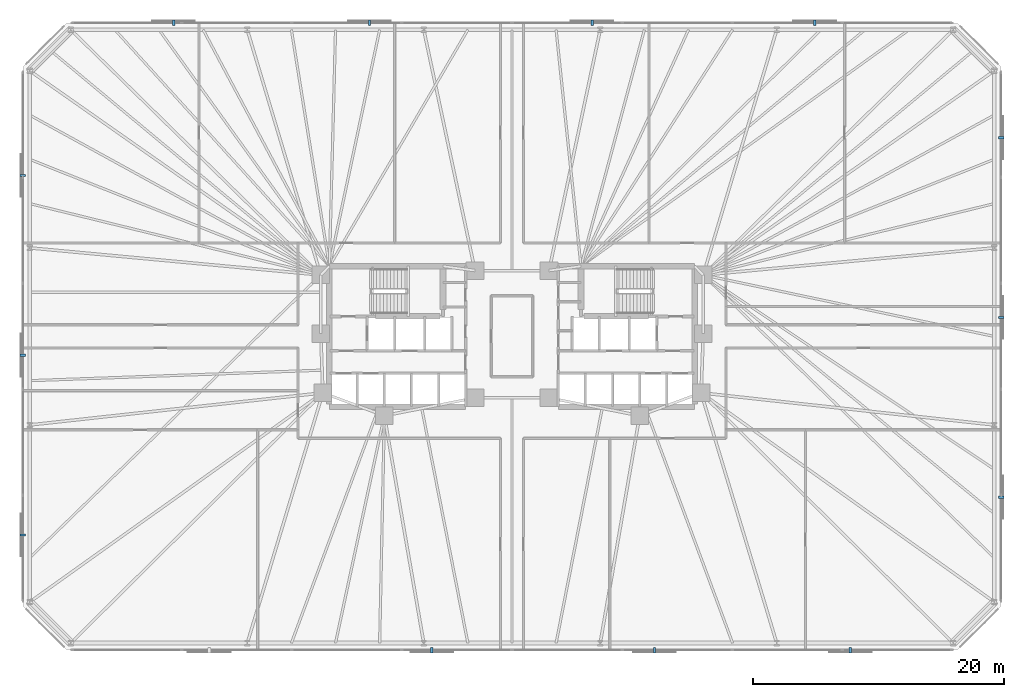
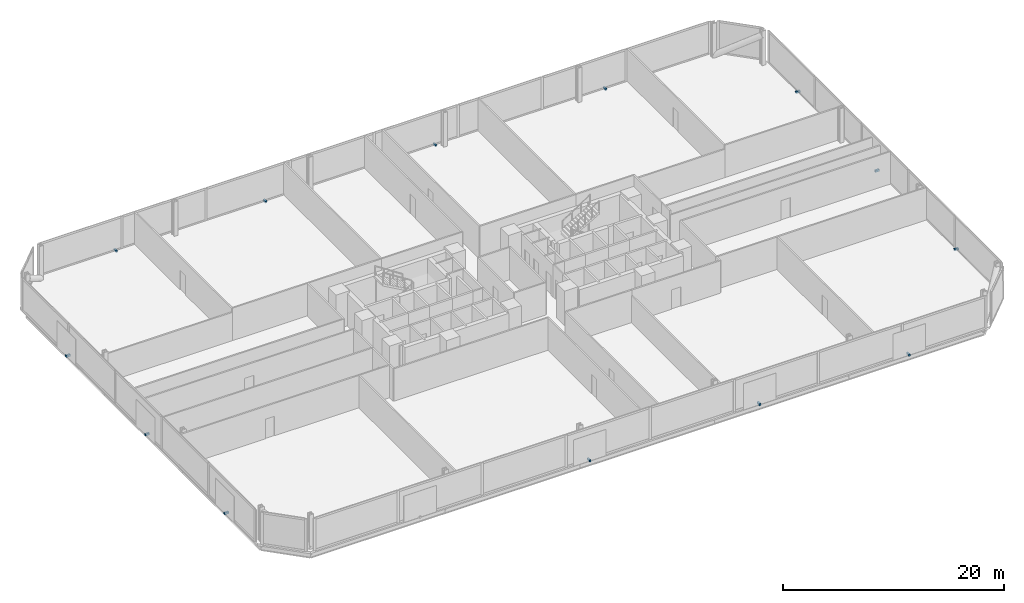
# One storey, part 16 of 17: 13 discrete accessories.
"""IFC4 building model written with IfcOpenShell, lengths in metres."""

import ifcopenshell
import ifcopenshell.guid

model = None  # the IFC model being written
_history = None  # IfcOwnerHistory: only IFC2X3 demands one
_inside = {}  # id of a spatial element -> (the spatial element, [elements in it])
_under = {}  # id of a project, library or spatial element -> (it, [spatial elements below it])
_declared = {}  # id of a project -> (the project, [libraries it declares])
_typed = {}  # id of a type object -> (the type object, [elements of that type])
_made_of = {}  # id of a material, layer set ... -> (it, [elements and type objects made of it])


def new_model(schema):
    """Start an empty IFC model of exactly this schema.

    Asked for "IFC4X3", IfcOpenShell would pick the latest addendum, in which some entities
    have other attributes; the version numbers below select the first issue.
    IFC2X3 requires an IfcOwnerHistory on every rooted entity: one is made here for all.
    """
    global model, _history
    if schema == "IFC4X3":
        model = ifcopenshell.file(schema_version=(4, 3, 0, 0))
    else:
        model = ifcopenshell.file(schema=schema)
    _inside.clear()
    _under.clear()
    _declared.clear()
    _typed.clear()
    _made_of.clear()
    _history = None
    if model.schema == "IFC2X3":
        org = make("IfcOrganization", Name="unknown")
        user = make(
            "IfcPersonAndOrganization",
            ThePerson=make("IfcPerson", FamilyName="unknown"),
            TheOrganization=org,
        )
        app = make(
            "IfcApplication",
            ApplicationDeveloper=org,
            Version="unknown",
            ApplicationFullName="unknown",
            ApplicationIdentifier="unknown",
        )
        _history = make(
            "IfcOwnerHistory",
            OwningUser=user,
            OwningApplication=app,
            ChangeAction="ADDED",
            CreationDate=0,
        )
    return model


def make(cls, **values):
    """One entity of the class cls with the attributes given. An attribute that is None is left unset."""
    return model.create_entity(
        cls, **{name: value for name, value in values.items() if value is not None}
    )


def rooted(cls, **values):
    """An entity with a GlobalId (a new one), such as an element, a storey or a relation."""
    return make(cls, GlobalId=ifcopenshell.guid.new(), OwnerHistory=_history, **values)


def si_unit(unit_type, name, prefix=None):
    """IfcSIUnit, for example si_unit("LENGTHUNIT", "METRE", prefix="MILLI")."""
    return make("IfcSIUnit", UnitType=unit_type, Prefix=prefix, Name=name)


def assignment(units):
    """IfcUnitAssignment: the units of a project."""
    return None if units is None else make("IfcUnitAssignment", Units=units)


def point(xyz):
    """IfcCartesianPoint."""
    return None if xyz is None else make("IfcCartesianPoint", Coordinates=xyz)


def direction(xyz):
    """IfcDirection."""
    return None if xyz is None else make("IfcDirection", DirectionRatios=xyz)


def frame(location, z_axis=None, x_axis=None):
    """IfcAxis2Placement3D, a coordinate frame: its origin and axes. An axis left out is left unset."""
    return make(
        "IfcAxis2Placement3D",
        Location=point(location),
        Axis=direction(z_axis),
        RefDirection=direction(x_axis),
    )


def frame_2d(location, x_axis=None):
    """IfcAxis2Placement2D, a coordinate frame in the plane: its origin and x axis."""
    return make(
        "IfcAxis2Placement2D", Location=point(location), RefDirection=direction(x_axis)
    )


def origin():
    """The frame at (0, 0, 0) with its axes left unset."""
    return frame((0.0, 0.0, 0.0))


def origin_2d():
    """The frame at (0, 0) in the plane with its x axis left unset."""
    return frame_2d((0.0, 0.0))


def place(relative_to, where):
    """IfcLocalPlacement: puts the frame where relative to a parent placement (None: the world)."""
    return make(
        "IfcLocalPlacement", PlacementRelTo=relative_to, RelativePlacement=where
    )


def context(
    kind, dimensions, precision=None, world=None, true_north=None, identifier=None
):
    """IfcGeometricRepresentationContext, for example the 3D "Model" context."""
    return make(
        "IfcGeometricRepresentationContext",
        ContextIdentifier=identifier,
        ContextType=kind,
        CoordinateSpaceDimension=dimensions,
        Precision=precision,
        WorldCoordinateSystem=world,
        TrueNorth=true_north,
    )


def subcontext(parent, identifier, kind, view, scale=None):
    """IfcGeometricRepresentationSubContext, for example "Body" below "Model"."""
    return make(
        "IfcGeometricRepresentationSubContext",
        ContextIdentifier=identifier,
        ContextType=kind,
        ParentContext=parent,
        TargetScale=scale,
        TargetView=view,
    )


def project(units=None, contexts=None):
    """IfcProject with its units and contexts."""
    return rooted(
        "IfcProject",
        Name="project",
        RepresentationContexts=contexts,
        UnitsInContext=assignment(units),
    )


def spatial(cls, under=None, at=None, **own):
    """A site, building, storey or space (cls), placed at a placement, below another one or the project."""
    s = rooted(cls, ObjectPlacement=at, **own)
    if under is not None:
        _under.setdefault(under.id(), (under, []))[1].append(s)
    return s


def profile(cls, at=None, kind="AREA", **sizes):
    """A parametric profile (cls). Its sizes go by their IFC names, for example OverallWidth=200.0."""
    return make(cls, ProfileType=kind, Position=at, **sizes)


def rectangle(**sizes):
    """IfcRectangleProfileDef."""
    return profile("IfcRectangleProfileDef", **sizes)


def extrude(swept, where, along, depth):
    """IfcExtrudedAreaSolid: the profile swept, set in the frame where, extruded along a direction by depth."""
    return make(
        "IfcExtrudedAreaSolid",
        SweptArea=swept,
        Position=where,
        ExtrudedDirection=direction(along),
        Depth=depth,
    )


def shape(context_of_items, identifier, shape_type, items):
    """IfcShapeRepresentation: the items that make up one representation, for example the "Body"."""
    return make(
        "IfcShapeRepresentation",
        ContextOfItems=context_of_items,
        RepresentationIdentifier=identifier,
        RepresentationType=shape_type,
        Items=items,
    )


def material(Name=None, Category=None):
    """IfcMaterial."""
    return make("IfcMaterial", Name=Name, Category=Category)


def made_of(thing, what):
    """Note that an element or type object is made of a material, layer set ...; save() writes the relation."""
    if what is not None:
        _made_of.setdefault(what.id(), (what, []))[1].append(thing)
    return thing


def type_object(cls, material=None, **own):
    """A type object (cls), such as IfcWallType, which elements share."""
    return made_of(rooted(cls, **own), material)


def element(
    cls,
    number,
    at=None,
    inside=None,
    cuts=None,
    type_object=None,
    material=None,
    context=None,
    identifier="Body",
    shape_type=None,
    held_by="IfcProductDefinitionShape",
    body=None,
    shapes=None,
    **own,
):
    """One element of the class cls, such as IfcWall. Its Tag is "e" and its number.

    at: its placement. inside: the storey or other place that contains it. cuts: it is an
    opening in that element (IfcRelVoidsElement). A single representation is given by context,
    identifier, shape_type and body (its items); several are given by shapes. held_by: the class
    of the entity that holds the representations. save() writes the other relations.
    """
    e = rooted(cls, Tag="e%d" % number, ObjectPlacement=at, **own)
    if body is not None:
        shapes = [shape(context, identifier, shape_type, body)]
    if shapes is not None:
        e.Representation = make(held_by, Representations=shapes)
    if inside is not None:
        _inside.setdefault(inside.id(), (inside, []))[1].append(e)
    if cuts is not None:
        rooted(
            "IfcRelVoidsElement", RelatingBuildingElement=cuts, RelatedOpeningElement=e
        )
    if type_object is not None:
        _typed.setdefault(type_object.id(), (type_object, []))[1].append(e)
    return made_of(e, material)


def aggregate(whole, parts):
    """IfcRelAggregates: a whole, such as a stair, and the parts it consists of."""
    return rooted("IfcRelAggregates", RelatingObject=whole, RelatedObjects=parts)


def save(model, path):
    """Write the relations noted so far, then the file.

    IfcRelAggregates (storeys below a building ...), IfcRelContainedInSpatialStructure (elements
    in a storey), IfcRelDefinesByType, IfcRelAssociatesMaterial and IfcRelDeclares: one each for
    every whole, place, type object, material and project.
    """
    for whole, parts in _under.values():
        aggregate(whole, parts)
    for where, things in _inside.values():
        rooted(
            "IfcRelContainedInSpatialStructure",
            RelatedElements=things,
            RelatingStructure=where,
        )
    for kind, things in _typed.values():
        rooted("IfcRelDefinesByType", RelatedObjects=things, RelatingType=kind)
    for what, things in _made_of.values():
        rooted("IfcRelAssociatesMaterial", RelatedObjects=things, RelatingMaterial=what)
    for by, libraries in _declared.values():
        rooted("IfcRelDeclares", RelatingContext=by, RelatedDefinitions=libraries)
    model.write(path)


model = new_model("IFC4")

# Units and contexts
model_context = context("Model", 3, precision=1e-05, world=origin(), true_north=direction((0.0, 1.0)))
body_context = subcontext(model_context, "Body", "Model", "MODEL_VIEW")
ifc_project = project(units=[si_unit("LENGTHUNIT", "METRE"), si_unit("AREAUNIT", "SQUARE_METRE"), si_unit("VOLUMEUNIT", "CUBIC_METRE"), si_unit("PLANEANGLEUNIT", "RADIAN"), si_unit("MASSUNIT", "GRAM", prefix="KILO")], contexts=[model_context])

# Site, building, storey
site_placement = place(None, origin())
site = spatial("IfcSite", under=ifc_project, at=site_placement, CompositionType="ELEMENT")
building_placement = place(site_placement, origin())
building = spatial("IfcBuilding", under=site, at=building_placement, Name="Menara Jurai Vektor", CompositionType="ELEMENT")
storey_placement = place(building_placement, frame((0.0, 0.0, 48.39990234375)))
storey = spatial("IfcBuildingStorey", under=building, at=storey_placement, Name="L11", CompositionType="ELEMENT", Elevation=48.39990234375)

# Discrete accessories
ifc_material = material(Name="Steel S355", Category="steel")
discrete_accessory_type = type_object("IfcDiscreteAccessoryType", Name="ENV-ACC-BRACKET", PredefinedType="BRACKET", material=ifc_material)
for number, where, z_axis, x_axis, name in (
    (1, (-6.389892578125, -25.010009765625, -0.1298828125), (0.0, 0.0, 1.0), (1.0, 0.0, 0.0), "Solar Screen Stand-Off Bracket L11-S02"),
    (2, (11.360107421875, -25.010009765625, -0.1298828125), (0.0, 0.0, 1.0), (1.0, 0.0, 0.0), "Solar Screen Stand-Off Bracket L11-S03"),
    (3, (26.97998046875, -25.010009765625, -0.1298828125), (0.0, 0.0, 1.0), (1.0, 0.0, 0.0), "Solar Screen Stand-Off Bracket L11-S04"),
    (4, (39.010009765625, -12.828369140625, -0.1298828125), (0.0, 0.0, 1.0), (0.0, 1.0, 0.0), "Solar Screen Stand-Off Bracket L11-S05"),
    (5, (39.010009765625, 1.5048828125, -0.1298828125), (0.0, 0.0, 1.0), (0.0, 1.0, 0.0), "Solar Screen Stand-Off Bracket L11-S06"),
    (6, (39.010009765625, 15.83837890625, -0.1298828125), (0.0, 0.0, 1.0), (0.0, 1.0, 0.0), "Solar Screen Stand-Off Bracket L11-S07"),
    (7, (24.139892578125, 25.010009765625, -0.1298828125), (0.0, 0.0, 1.0), (-1.0, 0.0, 0.0), "Solar Screen Stand-Off Bracket L11-S08"),
    (8, (6.389892578125, 25.010009765625, -0.1298828125), (0.0, 0.0, 1.0), (-1.0, 0.0, 0.0), "Solar Screen Stand-Off Bracket L11-S09"),
    (9, (-11.360107421875, 25.010009765625, -0.1298828125), (0.0, 0.0, 1.0), (-1.0, 0.0, 0.0), "Solar Screen Stand-Off Bracket L11-S10"),
    (10, (-26.97998046875, 25.010009765625, -0.1298828125), (0.0, 0.0, 1.0), (-1.0, 0.0, 0.0), "Solar Screen Stand-Off Bracket L11-S11"),
    (11, (-39.010009765625, 12.828369140625, -0.1298828125), (0.0, 0.0, 1.0), (0.0, -1.0, 0.0), "Solar Screen Stand-Off Bracket L11-S12"),
    (12, (-39.010009765625, -1.5048828125, -0.1298828125), (0.0, 0.0, 1.0), (0.0, -1.0, 0.0), "Solar Screen Stand-Off Bracket L11-S13"),
    (13, (-39.010009765625, -15.83837890625, -0.1298828125), (0.0, 0.0, 1.0), (0.0, -1.0, 0.0), "Solar Screen Stand-Off Bracket L11-S14"),
):
    element("IfcDiscreteAccessory", number, at=place(storey_placement, frame(where, z_axis=z_axis, x_axis=x_axis)), inside=storey, type_object=discrete_accessory_type, Name=name, PredefinedType="BRACKET", context=body_context, shape_type="SweptSolid", body=[
        extrude(rectangle(XDim=0.179931640625, YDim=0.43994140625, at=origin_2d()), origin(), (0.0, 0.0, 1.0), 0.219970703125),
    ])

save(model, "model.ifc")
